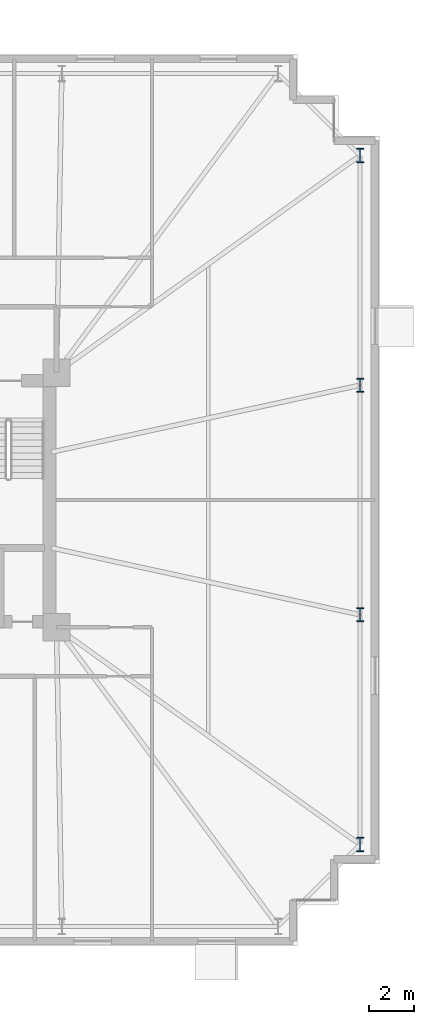
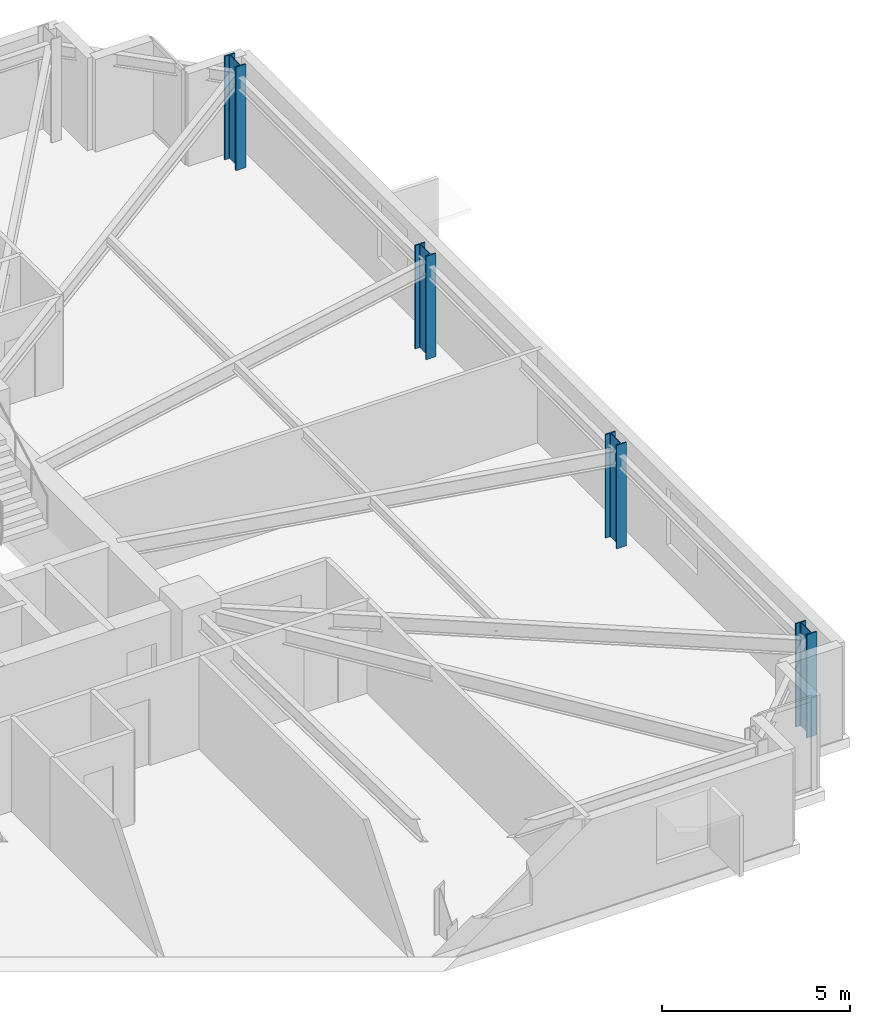
# One storey, part 3 of 20: 4 columns.
"""IFC4 building model written with IfcOpenShell, lengths in metres."""

from ifc_helpers import new_model, si_unit, direction, frame, origin, origin_2d, place, context, subcontext, project, spatial, i_section, extrude, material, material_profile, profile_set, type_object, element, save


model = new_model("IFC4")

# Units and contexts
model_context = context("Model", 3, precision=1e-05, world=origin(), true_north=direction((0.0, 1.0)))
body_context = subcontext(model_context, "Body", "Model", "MODEL_VIEW")
ifc_project = project(units=[si_unit("LENGTHUNIT", "METRE"), si_unit("AREAUNIT", "SQUARE_METRE"), si_unit("VOLUMEUNIT", "CUBIC_METRE"), si_unit("PLANEANGLEUNIT", "RADIAN"), si_unit("MASSUNIT", "GRAM", prefix="KILO")], contexts=[model_context])

# Site, building, storey
site_placement = place(None, origin())
site = spatial("IfcSite", under=ifc_project, at=site_placement, CompositionType="ELEMENT")
building_placement = place(site_placement, origin())
building = spatial("IfcBuilding", under=site, at=building_placement, Name="Qobustan Lattice House", CompositionType="ELEMENT")
storey_placement = place(building_placement, frame((0.0, 0.0, 70.550048828125)))
storey = spatial("IfcBuildingStorey", under=building, at=storey_placement, Name="L19", CompositionType="ELEMENT", Elevation=70.550048828125)

# Columns
ifc_material = material(Name="Steel S460", Category="steel")
ifc_material_profile = material_profile(ifc_material, i_section(OverallWidth=0.304931640625, OverallDepth=0.6201171875, WebThickness=0.02099609375, FlangeThickness=0.0400390625, FilletRadius=0.027099609375, at=origin_2d()), Name="HEM600")
ifc_profile_set = profile_set([ifc_material_profile], Name="Steel S460")
column_type = type_object("IfcColumnType", Name="COL-ST-HEM600", PredefinedType="COLUMN", material=ifc_profile_set)
for number, where, z_axis, x_axis, name in (
    (1, (32.14990234375, -15.14990234375, 0.0), (0.0, 0.0, 1.0), (1.0, 0.0, 0.0), "L19 B1 perimeter column E1"),
    (2, (32.14990234375, -5.050048828125, 0.0), (0.0, 0.0, 1.0), (1.0, 0.0, 0.0), "L19 B1 perimeter column E2"),
    (3, (32.14990234375, 5.050048828125, 0.0), (0.0, 0.0, 1.0), (1.0, 0.0, 0.0), "L19 B1 perimeter column E3"),
    (4, (32.14990234375, 15.14990234375, 0.0), (0.0, 0.0, 1.0), (1.0, 0.0, 0.0), "L19 B1 perimeter column E4"),
):
    element("IfcColumn", number, at=place(storey_placement, frame(where, z_axis=z_axis, x_axis=x_axis)), inside=storey, type_object=column_type, Name=name, PredefinedType="COLUMN", context=body_context, shape_type="SweptSolid", body=[
        extrude(i_section(OverallWidth=0.304931640625, OverallDepth=0.6201171875, WebThickness=0.02099609375, FlangeThickness=0.0400390625, FilletRadius=0.027099609375, at=origin_2d()), origin(), (0.0, 0.0, 1.0), 3.349853515625),
    ])

save(model, "model.ifc")
